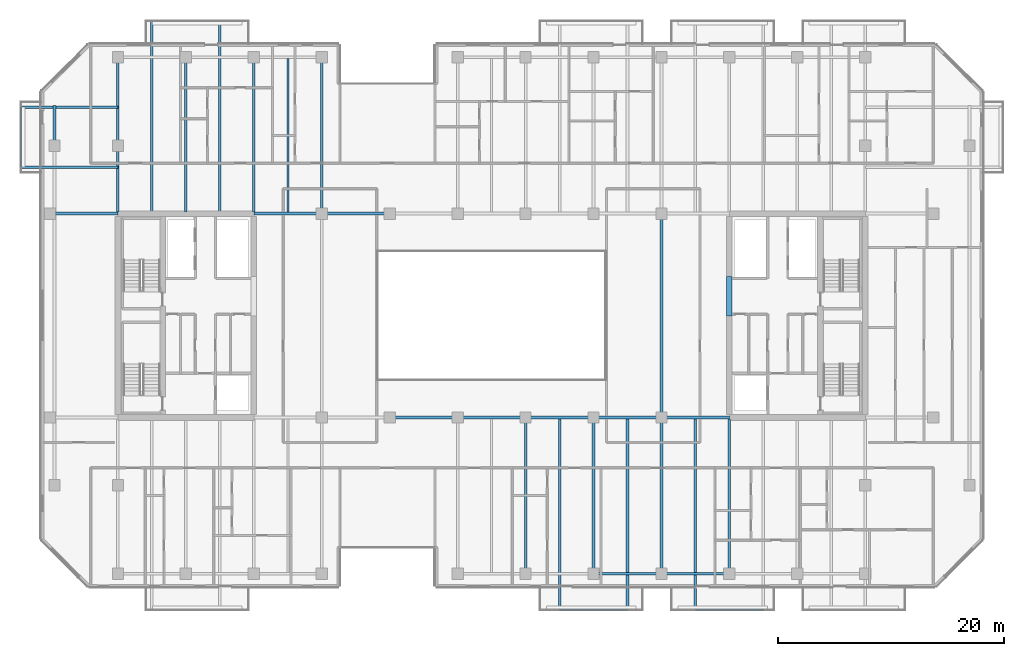
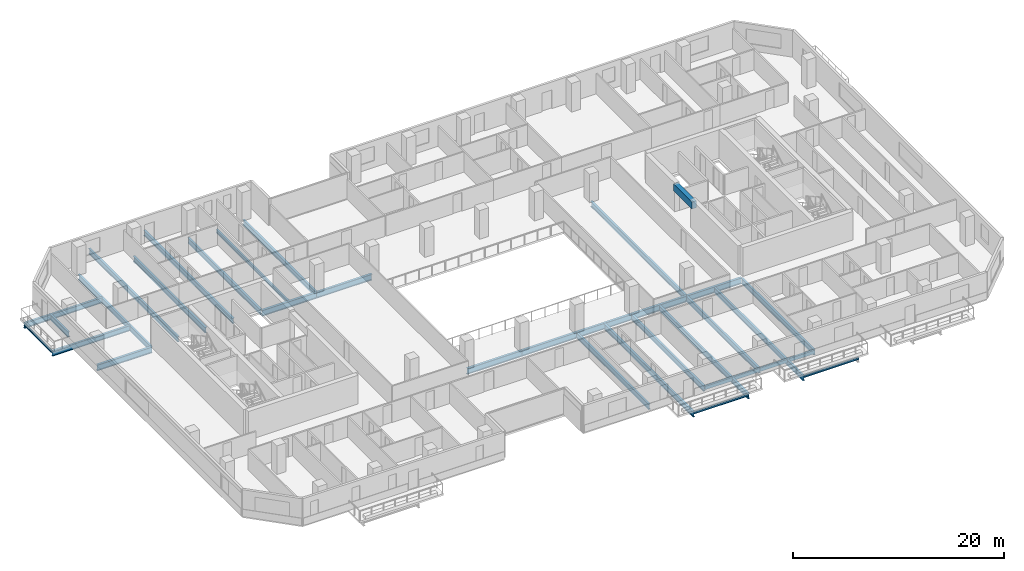
# One storey, part 5 of 23: 32 beams.
"""IFC4 building model written with IfcOpenShell, lengths in metres."""

from ifc_helpers import new_model, si_unit, direction, frame, origin, origin_2d, place, context, subcontext, project, spatial, rectangle, hollow_rectangle, i_section, extrude, material, material_profile, profile_set, type_object, element, save


model = new_model("IFC4")

# Units and contexts
model_context = context("Model", 3, precision=1e-05, world=origin(), true_north=direction((0.0, 1.0)))
body_context = subcontext(model_context, "Body", "Model", "MODEL_VIEW")
ifc_project = project(units=[si_unit("LENGTHUNIT", "METRE"), si_unit("AREAUNIT", "SQUARE_METRE"), si_unit("VOLUMEUNIT", "CUBIC_METRE"), si_unit("PLANEANGLEUNIT", "RADIAN"), si_unit("MASSUNIT", "GRAM", prefix="KILO")], contexts=[model_context])

# Site, building, storey
site_placement = place(None, origin())
site = spatial("IfcSite", under=ifc_project, at=site_placement, CompositionType="ELEMENT")
building_placement = place(site_placement, origin())
building = spatial("IfcBuilding", under=site, at=building_placement, Name="Tanjung Sevakor Pilgrim Tower", CompositionType="ELEMENT")
storey_placement = place(building_placement, frame((0.0, 0.0, 88.77001953125)))
storey = spatial("IfcBuildingStorey", under=building, at=storey_placement, Name="L24", CompositionType="ELEMENT", Elevation=88.77001953125)

# Beams
ifc_material_1 = material(Name="Steel S355J2", Category="steel")
ifc_material_profile_1 = material_profile(ifc_material_1, i_section(OverallWidth=0.25439453125, OverallDepth=0.6875, WebThickness=0.01318359375, FlangeThickness=0.02099609375, FilletRadius=0.01513671875, at=origin_2d()))
ifc_profile_set_1 = profile_set([ifc_material_profile_1], Name="Steel S355J2")
beam_type_1 = type_object("IfcBeamType", Name="BM-B-G2-UB_686x254x152", PredefinedType="BEAM", material=ifc_profile_set_1)
for number, where, z_axis, x_axis, name in (
    (1, (48.0, 24.60009765625, -0.563720703125), (1.0, 0.0, 0.0), (0.0, 1.0, 0.0), "L24 Primary Floor Girder MAIN Y246-04"),
    (2, (54.0, 24.60009765625, -0.563720703125), (1.0, 0.0, 0.0), (0.0, 1.0, 0.0), "L24 Primary Floor Girder MAIN Y246-05"),
    (3, (60.0, 24.60009765625, -0.563720703125), (1.0, 0.0, 0.0), (0.0, 1.0, 0.0), "L24 Primary Floor Girder MAIN Y246-06"),
    (4, (66.0, 24.60009765625, -0.563720703125), (1.0, 0.0, 0.0), (0.0, 1.0, 0.0), "L24 Primary Floor Girder MAIN Y246-07"),
    (5, (72.0, 24.60009765625, -0.563720703125), (1.0, 0.0, 0.0), (0.0, 1.0, 0.0), "L24 Primary Floor Girder MAIN Y246-08"),
    (6, (18.0, 42.60009765625, -0.563720703125), (1.0, 0.0, 0.0), (0.0, 1.0, 0.0), "L24 Primary Floor Girder MAIN Y426-01"),
    (7, (36.0, 42.60009765625, -0.563720703125), (1.0, 0.0, 0.0), (0.0, 1.0, 0.0), "L24 Primary Floor Girder MAIN Y426-02"),
    (8, (42.0, 42.60009765625, -0.563720703125), (1.0, 0.0, 0.0), (0.0, 1.0, 0.0), "L24 Primary Floor Girder MAIN Y426-03"),
):
    element("IfcBeam", number, at=place(storey_placement, frame(where, z_axis=z_axis, x_axis=x_axis)), inside=storey, type_object=beam_type_1, Name=name, PredefinedType="BEAM", context=body_context, shape_type="SweptSolid", body=[
        extrude(i_section(OverallWidth=0.25439453125, OverallDepth=0.6875, WebThickness=0.01318359375, FlangeThickness=0.02099609375, FilletRadius=0.01513671875, at=origin_2d()), origin(), (0.0, 0.0, 1.0), 6.0),
    ])
ifc_material_2 = material(Name="Steel S355J2", Category="steel")
ifc_material_profile_2 = material_profile(ifc_material_2, i_section(OverallWidth=0.230224609375, OverallDepth=0.6171875, WebThickness=0.01318359375, FlangeThickness=0.022216796875, FilletRadius=0.0126953125, at=origin_2d()))
ifc_profile_set_2 = profile_set([ifc_material_profile_2], Name="Steel S355J2")
beam_type_2 = type_object("IfcBeamType", Name="BM-B-G3-UB_610x229x140", PredefinedType="BEAM", material=ifc_profile_set_2)
for number, where, z_axis, x_axis, name in (
    (9, (24.0, 42.727294921875, -0.528564453125), (0.0, 1.0, 0.0), (-1.0, 0.0, 0.0), "L24 MAIN Girder 002"),
    (10, (30.0, 42.727294921875, -0.528564453125), (0.0, 1.0, 0.0), (-1.0, 0.0, 0.0), "L24 MAIN Girder 004"),
    (11, (36.0, 42.727294921875, -0.528564453125), (0.0, 1.0, 0.0), (-1.0, 0.0, 0.0), "L24 MAIN Girder 006"),
):
    element("IfcBeam", number, at=place(storey_placement, frame(where, z_axis=z_axis, x_axis=x_axis)), inside=storey, type_object=beam_type_2, Name=name, PredefinedType="BEAM", context=body_context, shape_type="SweptSolid", body=[
        extrude(i_section(OverallWidth=0.230224609375, OverallDepth=0.6171875, WebThickness=0.01318359375, FlangeThickness=0.022216796875, FilletRadius=0.0126953125, at=origin_2d()), origin(), (0.0, 0.0, 1.0), 13.672607421875),
    ])
beam_1_placement = place(storey_placement, frame((42.0, 42.60009765625, -0.528564453125), z_axis=(0.0, 1.0, 0.0), x_axis=(-1.0, 0.0, 0.0)))
element("IfcBeam", 12, at=beam_1_placement, inside=storey, type_object=beam_type_2, Name="L24 MAIN Girder 011", PredefinedType="BEAM", context=body_context, shape_type="SweptSolid", body=[
    extrude(i_section(OverallWidth=0.230224609375, OverallDepth=0.6171875, WebThickness=0.01318359375, FlangeThickness=0.022216796875, FilletRadius=0.0126953125, at=origin_2d()), origin(), (0.0, 0.0, 1.0), 13.7998046875),
])
for number, where, z_axis, x_axis, name in (
    (13, (60.0, 10.800048828125, -0.528564453125), (0.0, 1.0, 0.0), (-1.0, 0.0, 0.0), "L24 MAIN Girder 016"),
    (14, (66.0, 10.800048828125, -0.528564453125), (0.0, 1.0, 0.0), (-1.0, 0.0, 0.0), "L24 MAIN Girder 018"),
    (15, (72.0, 10.800048828125, -0.528564453125), (0.0, 1.0, 0.0), (-1.0, 0.0, 0.0), "L24 MAIN Girder 020"),
):
    element("IfcBeam", number, at=place(storey_placement, frame(where, z_axis=z_axis, x_axis=x_axis)), inside=storey, type_object=beam_type_2, Name=name, PredefinedType="BEAM", context=body_context, shape_type="SweptSolid", body=[
        extrude(i_section(OverallWidth=0.230224609375, OverallDepth=0.6171875, WebThickness=0.01318359375, FlangeThickness=0.022216796875, FilletRadius=0.0126953125, at=origin_2d()), origin(), (0.0, 0.0, 1.0), 13.800048828125),
    ])
beam_2_placement = place(storey_placement, frame((72.0, 24.60009765625, -0.528564453125), z_axis=(0.0, 1.0, 0.0), x_axis=(-1.0, 0.0, 0.0)))
element("IfcBeam", 16, at=beam_2_placement, inside=storey, type_object=beam_type_2, Name="L24 MAIN Girder 021", PredefinedType="BEAM", context=body_context, shape_type="SweptSolid", body=[
    extrude(i_section(OverallWidth=0.230224609375, OverallDepth=0.6171875, WebThickness=0.01318359375, FlangeThickness=0.022216796875, FilletRadius=0.0126953125, at=origin_2d()), origin(), (0.0, 0.0, 1.0), 18.0),
])
beam_3_placement = place(storey_placement, frame((78.0, 10.800048828125, -0.528564453125), z_axis=(0.0, 1.0, 0.0), x_axis=(-1.0, 0.0, 0.0)))
element("IfcBeam", 17, at=beam_3_placement, inside=storey, type_object=beam_type_2, Name="L24 MAIN Girder 023", PredefinedType="BEAM", context=body_context, shape_type="SweptSolid", body=[
    extrude(i_section(OverallWidth=0.230224609375, OverallDepth=0.6171875, WebThickness=0.01318359375, FlangeThickness=0.022216796875, FilletRadius=0.0126953125, at=origin_2d()), origin(), (0.0, 0.0, 1.0), 13.672607421875),
])
ifc_material_3 = material(Name="Steel S355J2", Category="steel")
ifc_material_profile_3 = material_profile(ifc_material_3, i_section(OverallWidth=0.22900390625, OverallDepth=0.6123046875, WebThickness=0.011962890625, FlangeThickness=0.01953125, FilletRadius=0.0126953125, at=origin_2d()))
ifc_profile_set_3 = profile_set([ifc_material_profile_3], Name="Steel S355J2")
beam_type_3 = type_object("IfcBeamType", Name="BM-B-G4-UB_610x229x125", PredefinedType="BEAM", material=ifc_profile_set_3)
beam_4_placement = place(storey_placement, frame((18.39990234375, 48.60009765625, -0.526123046875), z_axis=(0.0, 1.0, 0.0), x_axis=(-1.0, 0.0, 0.0)))
element("IfcBeam", 18, at=beam_4_placement, inside=storey, type_object=beam_type_3, Name="L24 Short-End Edge Extension N-W", PredefinedType="BEAM", context=body_context, shape_type="SweptSolid", body=[
    extrude(i_section(OverallWidth=0.22900390625, OverallDepth=0.6123046875, WebThickness=0.011962890625, FlangeThickness=0.01953125, FilletRadius=0.0126953125, at=origin_2d()), origin(), (0.0, 0.0, 1.0), 3.5498046875),
])
for number, where, z_axis, x_axis, name in (
    (19, (24.0, 46.699951171875, -0.526123046875), (-1.0, 0.0, 0.0), (0.0, -1.0, 0.0), "L24 Balcony Overhanging Beam MAIN-W1-1"),
    (20, (24.0, 52.0, -0.526123046875), (-1.0, 0.0, 0.0), (0.0, -1.0, 0.0), "L24 Balcony Overhanging Beam MAIN-W1-2"),
):
    element("IfcBeam", number, at=place(storey_placement, frame(where, z_axis=z_axis, x_axis=x_axis)), inside=storey, type_object=beam_type_3, Name=name, PredefinedType="BEAM", context=body_context, shape_type="SweptSolid", body=[
        extrude(i_section(OverallWidth=0.22900390625, OverallDepth=0.6123046875, WebThickness=0.011962890625, FlangeThickness=0.01953125, FilletRadius=0.0126953125, at=origin_2d()), origin(), (0.0, 0.0, 1.0), 8.530029296875),
    ])
for number, where, z_axis, x_axis, name in (
    (21, (27.0, 42.727294921875, -0.526123046875), (0.0, 1.0, 0.0), (-1.0, 0.0, 0.0), "L24 Balcony Cantilever Beam MAIN-N1-1"),
    (22, (33.0, 42.727294921875, -0.526123046875), (0.0, 1.0, 0.0), (-1.0, 0.0, 0.0), "L24 Balcony Cantilever Beam MAIN-N1-2"),
):
    element("IfcBeam", number, at=place(storey_placement, frame(where, z_axis=z_axis, x_axis=x_axis)), inside=storey, type_object=beam_type_3, Name=name, PredefinedType="BEAM", context=body_context, shape_type="SweptSolid", body=[
        extrude(i_section(OverallWidth=0.22900390625, OverallDepth=0.6123046875, WebThickness=0.011962890625, FlangeThickness=0.01953125, FilletRadius=0.0126953125, at=origin_2d()), origin(), (0.0, 0.0, 1.0), 16.852783203125),
    ])
for number, where, z_axis, x_axis, name in (
    (23, (63.0, 24.47265625, -0.526123046875), (0.0, -1.0, 0.0), (1.0, 0.0, 0.0), "L24 Balcony Cantilever Beam MAIN-S2-1"),
    (24, (69.0, 24.47265625, -0.526123046875), (0.0, -1.0, 0.0), (1.0, 0.0, 0.0), "L24 Balcony Cantilever Beam MAIN-S2-2"),
    (25, (75.0, 24.47265625, -0.526123046875), (0.0, -1.0, 0.0), (1.0, 0.0, 0.0), "L24 Balcony Cantilever Beam MAIN-S3-1"),
):
    element("IfcBeam", number, at=place(storey_placement, frame(where, z_axis=z_axis, x_axis=x_axis)), inside=storey, type_object=beam_type_3, Name=name, PredefinedType="BEAM", context=body_context, shape_type="SweptSolid", body=[
        extrude(i_section(OverallWidth=0.22900390625, OverallDepth=0.6123046875, WebThickness=0.011962890625, FlangeThickness=0.01953125, FilletRadius=0.0126953125, at=origin_2d()), origin(), (0.0, 0.0, 1.0), 16.8525390625),
    ])
ifc_material_4 = material(Name="Steel S355J2", Category="steel")
ifc_material_profile_4 = material_profile(ifc_material_4, i_section(OverallWidth=0.1787109375, OverallDepth=0.409423828125, WebThickness=0.0087890625, FlangeThickness=0.014404296875, FilletRadius=0.01025390625, at=origin_2d()))
ifc_profile_set_4 = profile_set([ifc_material_profile_4], Name="Steel S355J2")
beam_type_4 = type_object("IfcBeamType", Name="BM-B-J3-UB_406x178x67", PredefinedType="JOIST", material=ifc_profile_set_4)
beam_5_placement = place(storey_placement, frame((39.0, 42.727294921875, -0.4248046875), z_axis=(0.0, 1.0, 0.0), x_axis=(-1.0, 0.0, 0.0)))
element("IfcBeam", 26, at=beam_5_placement, inside=storey, type_object=beam_type_4, Name="L24 MAIN Joist 008", PredefinedType="JOIST", context=body_context, shape_type="SweptSolid", body=[
    extrude(i_section(OverallWidth=0.1787109375, OverallDepth=0.409423828125, WebThickness=0.0087890625, FlangeThickness=0.014404296875, FilletRadius=0.01025390625, at=origin_2d()), origin(), (0.0, 0.0, 1.0), 13.57275390625),
])
ifc_material_5 = material(Name="Steel S355J2", Category="steel")
ifc_material_profile_5 = material_profile(ifc_material_5, i_section(OverallWidth=0.146484375, OverallDepth=0.256103515625, WebThickness=0.00634765625, FlangeThickness=0.010986328125, FilletRadius=0.007568359375, at=origin_2d()))
ifc_profile_set_5 = profile_set([ifc_material_profile_5], Name="Steel S355J2")
beam_type_5 = type_object("IfcBeamType", Name="BM-B-J6-UB_254x146x37", PredefinedType="JOIST", material=ifc_profile_set_5)
for number, where, z_axis, x_axis, name in (
    (27, (63.0, 7.6201171875, -0.328125), (1.0, 0.0, 0.0), (0.0, 1.0, 0.0), "L24 Balcony Rim Tie MAIN-S2"),
    (28, (75.0, 7.6201171875, -0.328125), (1.0, 0.0, 0.0), (0.0, 1.0, 0.0), "L24 Balcony Rim Tie MAIN-S3"),
):
    element("IfcBeam", number, at=place(storey_placement, frame(where, z_axis=z_axis, x_axis=x_axis)), inside=storey, type_object=beam_type_5, Name=name, PredefinedType="JOIST", context=body_context, shape_type="SweptSolid", body=[
        extrude(i_section(OverallWidth=0.146484375, OverallDepth=0.256103515625, WebThickness=0.00634765625, FlangeThickness=0.010986328125, FilletRadius=0.007568359375, at=origin_2d()), origin(), (0.0, 0.0, 1.0), 6.0),
    ])
beam_6_placement = place(storey_placement, frame((15.469970703125, 46.699951171875, -0.328125), z_axis=(0.0, 1.0, 0.0), x_axis=(-1.0, 0.0, 0.0)))
element("IfcBeam", 29, at=beam_6_placement, inside=storey, type_object=beam_type_5, Name="L24 Balcony Rim Tie MAIN-W1", PredefinedType="JOIST", context=body_context, shape_type="SweptSolid", body=[
    extrude(i_section(OverallWidth=0.146484375, OverallDepth=0.256103515625, WebThickness=0.00634765625, FlangeThickness=0.010986328125, FilletRadius=0.007568359375, at=origin_2d()), origin(), (0.0, 0.0, 1.0), 5.300048828125),
])
ifc_material_6 = material(Name="Concrete C60/75", Category="concrete")
ifc_material_profile_6 = material_profile(ifc_material_6, rectangle(XDim=0.5, YDim=0.800048828125, at=origin_2d()))
ifc_profile_set_6 = profile_set([ifc_material_profile_6], Name="Concrete C60/75")
beam_type_6 = type_object("IfcBeamType", Name="BM-B-LN2-RC-BM_500x800", PredefinedType="LINTEL", material=ifc_profile_set_6)
beam_7_placement = place(storey_placement, frame((78.0, 33.550048828125, 2.679931640625), z_axis=(0.0, 1.0, 0.0), x_axis=(-1.0, 0.0, 0.0)))
element("IfcBeam", 30, at=beam_7_placement, inside=storey, type_object=beam_type_6, Name="L24 E Core Coupling Lintel", PredefinedType="LINTEL", context=body_context, shape_type="SweptSolid", body=[
    extrude(rectangle(XDim=0.5, YDim=0.800048828125, at=origin_2d()), origin(), (0.0, 0.0, 1.0), 3.5),
])
ifc_material_7 = material(Name="Steel S355J2", Category="steel")
ifc_material_profile_7 = material_profile(ifc_material_7, hollow_rectangle(XDim=0.199951171875, YDim=0.39990234375, WallThickness=0.01611328125, at=origin_2d()))
ifc_profile_set_7 = profile_set([ifc_material_profile_7], Name="Steel S355J2")
beam_type_7 = type_object("IfcBeamType", Name="BM-B-SP2-RHS_400x200x16", PredefinedType="SPANDREL", material=ifc_profile_set_7)
for number, where, z_axis, x_axis, name in (
    (31, (66.0, 10.800048828125, -0.419921875), (1.0, 0.0, 0.0), (0.0, 1.0, 0.0), "L24 Spandrel MAIN S-11"),
    (32, (72.0, 10.800048828125, -0.419921875), (1.0, 0.0, 0.0), (0.0, 1.0, 0.0), "L24 Spandrel MAIN S-13"),
):
    element("IfcBeam", number, at=place(storey_placement, frame(where, z_axis=z_axis, x_axis=x_axis)), inside=storey, type_object=beam_type_7, Name=name, PredefinedType="SPANDREL", context=body_context, shape_type="SweptSolid", body=[
        extrude(hollow_rectangle(XDim=0.199951171875, YDim=0.39990234375, WallThickness=0.01611328125, at=origin_2d()), origin(), (0.0, 0.0, 1.0), 6.0),
    ])

save(model, "model.ifc")
